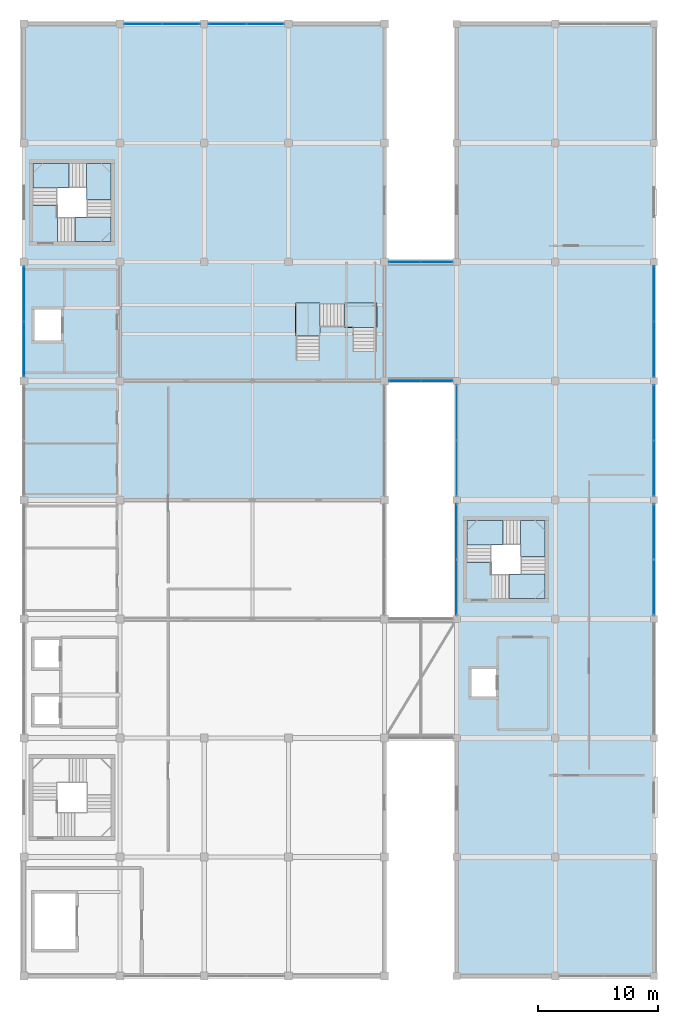
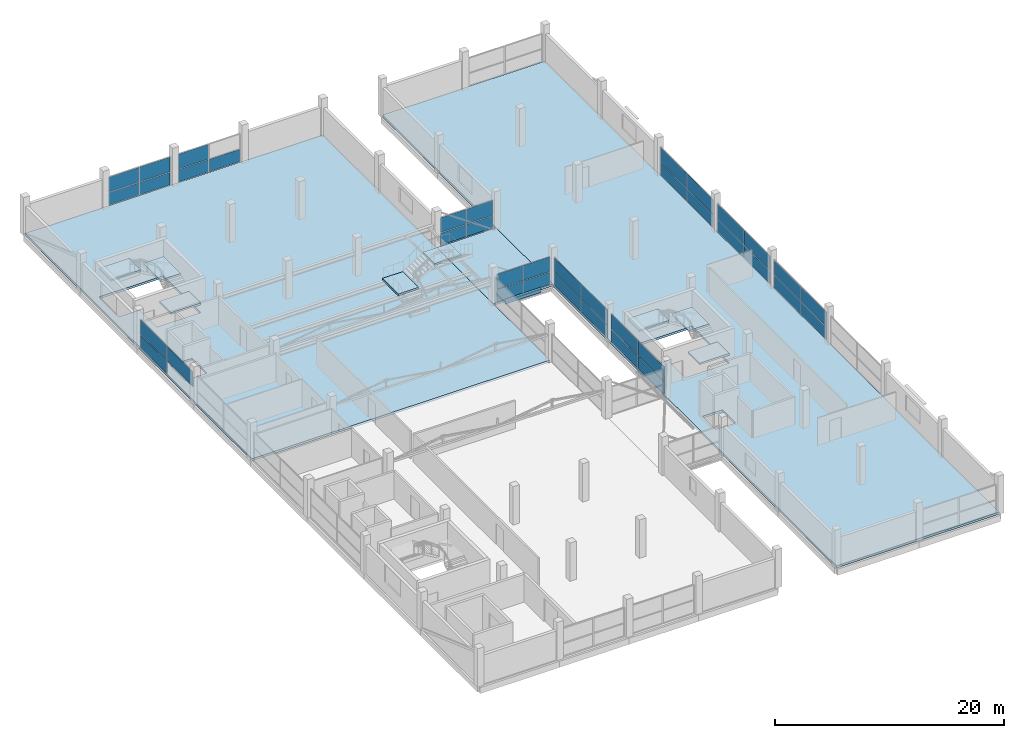
# One storey, part 54 of 70: 40 plates, 11 slabs, 13 elements without a shape of their own.
"""IFC4 building model written with IfcOpenShell, lengths in metres."""

from ifc_helpers import new_model, si_unit, direction, frame, origin, origin_2d, place, context, subcontext, project, spatial, polyline, rectangle, outline, extrude, material, layer, layer_set, type_object, element, aggregate, save


model = new_model("IFC4")

# Units and contexts
model_context = context("Model", 3, precision=1e-05, world=origin(), true_north=direction((0.0, 1.0)))
body_context = subcontext(model_context, "Body", "Model", "MODEL_VIEW")
ifc_project = project(units=[si_unit("LENGTHUNIT", "METRE"), si_unit("AREAUNIT", "SQUARE_METRE"), si_unit("VOLUMEUNIT", "CUBIC_METRE"), si_unit("PLANEANGLEUNIT", "RADIAN"), si_unit("MASSUNIT", "GRAM", prefix="KILO")], contexts=[model_context])

# Site, building, storey
site_placement = place(None, origin())
site = spatial("IfcSite", under=ifc_project, at=site_placement, CompositionType="ELEMENT")
building_placement = place(site_placement, origin())
building = spatial("IfcBuilding", under=site, at=building_placement, Name="Sillaruma Civic Art Gallery", CompositionType="ELEMENT")
storey_placement = place(building_placement, frame((0.0, 0.0, 66.300048828125)))
storey = spatial("IfcBuildingStorey", under=building, at=storey_placement, Name="L13", CompositionType="ELEMENT", Elevation=66.300048828125)

# Plates
ifc_material_1 = material(Name="Anodised Zinc-Aluminium Alloy", Category="aluminium")
ifc_layer_1 = layer(ifc_material_1, 0.044921875, Name="Anodised Zinc-Aluminium Alloy")
ifc_layer_set_1 = layer_set([ifc_layer_1], Name="Anodised Zinc-Aluminium Alloy")
plate_type_1 = type_object("IfcPlateType", Name="PLT-FAS-01", PredefinedType="USERDEFINED", material=ifc_layer_set_1)
for number, where, z_axis, x_axis, name in (
    (1, (95.0, 69.300048828125, -0.469970703125), (0.0, 0.0, 1.0), (1.0, 0.0, 0.0), "Sky-Bridge Fascia Cassette (BRG-N:L13:S)"),
    (2, (95.0, 79.199951171875, -0.469970703125), (0.0, 0.0, 1.0), (1.0, 0.0, 0.0), "Sky-Bridge Fascia Cassette (BRG-N:L13:N)"),
):
    element("IfcPlate", number, at=place(storey_placement, frame(where, z_axis=z_axis, x_axis=x_axis)), inside=storey, type_object=plate_type_1, Name=name, ObjectType="FASCIA CASSETTE", PredefinedType="USERDEFINED", context=body_context, shape_type="SweptSolid", body=[
        extrude(rectangle(XDim=3.60009765625, YDim=0.044921875, at=origin_2d()), origin(), (0.0, 0.0, 1.0), 0.580078125),
    ])

# Curtain wall, plates
ifc_material_2 = material(Name="Thermally Broken Extruded Aluminium 6063-T6", Category="aluminium")
ifc_layer_2 = layer(ifc_material_2, 0.139892578125, Name="Thermally Broken Extruded Aluminium 6063-T6")
ifc_layer_set_2 = layer_set([ifc_layer_2], Name="Thermally Broken Extruded Aluminium 6063-T6")
curtain_wall_type_1 = type_object("IfcCurtainWallType", Name="CW-UNI-106", PredefinedType="NOTDEFINED", material=ifc_layer_set_2)
curtain_wall_1_placement = place(storey_placement, origin())
curtain_wall_1 = element("IfcCurtainWall", 3, at=curtain_wall_1_placement, inside=storey, type_object=curtain_wall_type_1, Name="Unitised Curtain Wall CW-106 (CW-L13-WBN-3)", PredefinedType="NOTDEFINED")
ifc_material_3 = material(Name="Low-E UV-Filtered Laminated Insulating Glass", Category="glass")
ifc_layer_3 = layer(ifc_material_3, 0.028076171875, Name="Low-E UV-Filtered Laminated Insulating Glass")
ifc_layer_set_3 = layer_set([ifc_layer_3], Name="Low-E UV-Filtered Laminated Insulating Glass")
plate_type_2 = type_object("IfcPlateType", Name="PNL-GLZ-28", PredefinedType="CURTAIN_PANEL", material=ifc_layer_set_3)
plate_1_placement = place(storey_placement, frame((78.927490234375, 99.0, 0.06005859375), z_axis=(0.0, 0.0, 1.0), x_axis=(1.0, 0.0, 0.0)))
plate_1 = element("IfcPlate", 4, at=plate_1_placement, type_object=plate_type_2, Name="CW-106 panel 1.1", PredefinedType="CURTAIN_PANEL", context=body_context, shape_type="SweptSolid", body=[
    extrude(rectangle(XDim=3.0849609375, YDim=0.028076171875, at=origin_2d()), origin(), (0.0, 0.0, 1.0), 1.326904296875),
])
plate_2_placement = place(storey_placement, frame((78.927490234375, 99.0, 1.44677734375), z_axis=(0.0, 0.0, 1.0), x_axis=(1.0, 0.0, 0.0)))
plate_2 = element("IfcPlate", 5, at=plate_2_placement, type_object=plate_type_2, Name="CW-106 panel 1.2", PredefinedType="CURTAIN_PANEL", context=body_context, shape_type="SweptSolid", body=[
    extrude(rectangle(XDim=3.0849609375, YDim=0.028076171875, at=origin_2d()), origin(), (0.0, 0.0, 1.0), 1.5732421875),
])
plate_3_placement = place(storey_placement, frame((82.072509765625, 99.0, 0.06005859375), z_axis=(0.0, 0.0, 1.0), x_axis=(1.0, 0.0, 0.0)))
plate_3 = element("IfcPlate", 6, at=plate_3_placement, type_object=plate_type_2, Name="CW-106 panel 2.1", PredefinedType="CURTAIN_PANEL", context=body_context, shape_type="SweptSolid", body=[
    extrude(rectangle(XDim=3.0849609375, YDim=0.028076171875, at=origin_2d()), origin(), (0.0, 0.0, 1.0), 1.326904296875),
])
aggregate(curtain_wall_1, [plate_1, plate_2, plate_3])

ifc_layer_4 = layer(ifc_material_2, 0.139892578125, Name="Thermally Broken Extruded Aluminium 6063-T6")
ifc_layer_set_4 = layer_set([ifc_layer_4], Name="Thermally Broken Extruded Aluminium 6063-T6")
curtain_wall_type_2 = type_object("IfcCurtainWallType", Name="CW-UNI-98", PredefinedType="NOTDEFINED", material=ifc_layer_set_4)
curtain_wall_2_placement = place(storey_placement, origin())
curtain_wall_2 = element("IfcCurtainWall", 7, at=curtain_wall_2_placement, inside=storey, type_object=curtain_wall_type_2, Name="Unitised Curtain Wall CW-98 (CW-L13-EBE-6)", PredefinedType="NOTDEFINED")
plate_4_placement = place(storey_placement, frame((114.39990234375, 71.93994140625, 0.06005859375), z_axis=(0.0, 0.0, 1.0), x_axis=(0.0, 1.0, 0.0)))
plate_4 = element("IfcPlate", 8, at=plate_4_placement, type_object=plate_type_2, Name="CW-98 panel 1.1", PredefinedType="CURTAIN_PANEL", context=body_context, shape_type="SweptSolid", body=[
    extrude(rectangle(XDim=4.56005859375, YDim=0.028076171875, at=origin_2d()), origin(), (0.0, 0.0, 1.0), 1.326904296875),
])
plate_5_placement = place(storey_placement, frame((114.39990234375, 71.93994140625, 1.44677734375), z_axis=(0.0, 0.0, 1.0), x_axis=(0.0, 1.0, 0.0)))
plate_5 = element("IfcPlate", 9, at=plate_5_placement, type_object=plate_type_2, Name="CW-98 panel 1.2", PredefinedType="CURTAIN_PANEL", context=body_context, shape_type="SweptSolid", body=[
    extrude(rectangle(XDim=4.56005859375, YDim=0.028076171875, at=origin_2d()), origin(), (0.0, 0.0, 1.0), 1.5732421875),
])
plate_6_placement = place(storey_placement, frame((114.39990234375, 76.56005859375, 0.06005859375), z_axis=(0.0, 0.0, 1.0), x_axis=(0.0, 1.0, 0.0)))
plate_6 = element("IfcPlate", 10, at=plate_6_placement, type_object=plate_type_2, Name="CW-98 panel 2.1", PredefinedType="CURTAIN_PANEL", context=body_context, shape_type="SweptSolid", body=[
    extrude(rectangle(XDim=4.56005859375, YDim=0.028076171875, at=origin_2d()), origin(), (0.0, 0.0, 1.0), 1.326904296875),
])
plate_7_placement = place(storey_placement, frame((114.39990234375, 76.56005859375, 1.44677734375), z_axis=(0.0, 0.0, 1.0), x_axis=(0.0, 1.0, 0.0)))
plate_7 = element("IfcPlate", 11, at=plate_7_placement, type_object=plate_type_2, Name="CW-98 panel 2.2", PredefinedType="CURTAIN_PANEL", context=body_context, shape_type="SweptSolid", body=[
    extrude(rectangle(XDim=4.56005859375, YDim=0.028076171875, at=origin_2d()), origin(), (0.0, 0.0, 1.0), 1.5732421875),
])
aggregate(curtain_wall_2, [plate_4, plate_5, plate_6, plate_7])

ifc_layer_5 = layer(ifc_material_2, 0.159912109375, Name="Thermally Broken Extruded Aluminium 6063-T6")
ifc_layer_set_5 = layer_set([ifc_layer_5], Name="Thermally Broken Extruded Aluminium 6063-T6")
curtain_wall_type_3 = type_object("IfcCurtainWallType", Name="CW-UNI-94", PredefinedType="NOTDEFINED", material=ifc_layer_set_5)
curtain_wall_3_placement = place(storey_placement, origin())
curtain_wall_3 = element("IfcCurtainWall", 12, at=curtain_wall_3_placement, inside=storey, type_object=curtain_wall_type_3, Name="Unitised Curtain Wall CW-94 (CW-L13-WBW-6)", PredefinedType="NOTDEFINED")
ifc_layer_6 = layer(ifc_material_3, 0.030029296875, Name="Low-E UV-Filtered Laminated Insulating Glass")
ifc_layer_set_6 = layer_set([ifc_layer_6], Name="Low-E UV-Filtered Laminated Insulating Glass")
plate_type_3 = type_object("IfcPlateType", Name="PNL-GLZ-30", PredefinedType="CURTAIN_PANEL", material=ifc_layer_set_6)
plate_8_placement = place(storey_placement, frame((62.0, 71.953857421875, 1.44677734375), z_axis=(0.0, 0.0, 1.0), x_axis=(0.0, 1.0, 0.0)))
plate_8 = element("IfcPlate", 13, at=plate_8_placement, type_object=plate_type_3, Name="CW-94 panel 1.2", PredefinedType="CURTAIN_PANEL", context=body_context, shape_type="SweptSolid", body=[
    extrude(rectangle(XDim=4.527587890625, YDim=0.030029296875, at=origin_2d()), origin(), (0.0, 0.0, 1.0), 1.5732421875),
])
plate_9_placement = place(storey_placement, frame((62.0, 76.546142578125, 0.06005859375), z_axis=(0.0, 0.0, 1.0), x_axis=(0.0, 1.0, 0.0)))
plate_9 = element("IfcPlate", 14, at=plate_9_placement, type_object=plate_type_3, Name="CW-94 panel 2.1", PredefinedType="CURTAIN_PANEL", context=body_context, shape_type="SweptSolid", body=[
    extrude(rectangle(XDim=4.527587890625, YDim=0.030029296875, at=origin_2d()), origin(), (0.0, 0.0, 1.0), 1.326904296875),
])
plate_10_placement = place(storey_placement, frame((62.0, 76.546142578125, 1.44677734375), z_axis=(0.0, 0.0, 1.0), x_axis=(0.0, 1.0, 0.0)))
plate_10 = element("IfcPlate", 15, at=plate_10_placement, type_object=plate_type_3, Name="CW-94 panel 2.2", PredefinedType="CURTAIN_PANEL", context=body_context, shape_type="SweptSolid", body=[
    extrude(rectangle(XDim=4.527587890625, YDim=0.030029296875, at=origin_2d()), origin(), (0.0, 0.0, 1.0), 1.5732421875),
])
aggregate(curtain_wall_3, [plate_8, plate_9, plate_10])

ifc_layer_7 = layer(ifc_material_2, 0.159912109375, Name="Thermally Broken Extruded Aluminium 6063-T6")
ifc_layer_set_7 = layer_set([ifc_layer_7], Name="Thermally Broken Extruded Aluminium 6063-T6")
curtain_wall_type_4 = type_object("IfcCurtainWallType", Name="CW-UNI-97", PredefinedType="NOTDEFINED", material=ifc_layer_set_7)
curtain_wall_4_placement = place(storey_placement, origin())
curtain_wall_4 = element("IfcCurtainWall", 16, at=curtain_wall_4_placement, inside=storey, type_object=curtain_wall_type_4, Name="Unitised Curtain Wall CW-97 (CW-L13-EBW-5)", PredefinedType="NOTDEFINED")
plate_11_placement = place(storey_placement, frame((98.0, 62.041259765625, 0.06005859375), z_axis=(0.0, 0.0, 1.0), x_axis=(0.0, 1.0, 0.0)))
plate_11 = element("IfcPlate", 17, at=plate_11_placement, type_object=plate_type_3, Name="CW-97 panel 1.1", PredefinedType="CURTAIN_PANEL", context=body_context, shape_type="SweptSolid", body=[
    extrude(rectangle(XDim=4.552490234375, YDim=0.030029296875, at=origin_2d()), origin(), (0.0, 0.0, 1.0), 1.326904296875),
])
plate_12_placement = place(storey_placement, frame((98.0, 62.041259765625, 1.44677734375), z_axis=(0.0, 0.0, 1.0), x_axis=(0.0, 1.0, 0.0)))
plate_12 = element("IfcPlate", 18, at=plate_12_placement, type_object=plate_type_3, Name="CW-97 panel 1.2", PredefinedType="CURTAIN_PANEL", context=body_context, shape_type="SweptSolid", body=[
    extrude(rectangle(XDim=4.552490234375, YDim=0.030029296875, at=origin_2d()), origin(), (0.0, 0.0, 1.0), 1.5732421875),
])
plate_13_placement = place(storey_placement, frame((98.0, 66.65869140625, 0.06005859375), z_axis=(0.0, 0.0, 1.0), x_axis=(0.0, 1.0, 0.0)))
plate_13 = element("IfcPlate", 19, at=plate_13_placement, type_object=plate_type_3, Name="CW-97 panel 2.1", PredefinedType="CURTAIN_PANEL", context=body_context, shape_type="SweptSolid", body=[
    extrude(rectangle(XDim=4.552490234375, YDim=0.030029296875, at=origin_2d()), origin(), (0.0, 0.0, 1.0), 1.326904296875),
])
plate_14_placement = place(storey_placement, frame((98.0, 66.65869140625, 1.44677734375), z_axis=(0.0, 0.0, 1.0), x_axis=(0.0, 1.0, 0.0)))
plate_14 = element("IfcPlate", 20, at=plate_14_placement, type_object=plate_type_3, Name="CW-97 panel 2.2", PredefinedType="CURTAIN_PANEL", context=body_context, shape_type="SweptSolid", body=[
    extrude(rectangle(XDim=4.552490234375, YDim=0.030029296875, at=origin_2d()), origin(), (0.0, 0.0, 1.0), 1.5732421875),
])
aggregate(curtain_wall_4, [plate_11, plate_12, plate_13, plate_14])

ifc_layer_8 = layer(ifc_material_2, 0.159912109375, Name="Thermally Broken Extruded Aluminium 6063-T6")
ifc_layer_set_8 = layer_set([ifc_layer_8], Name="Thermally Broken Extruded Aluminium 6063-T6")
curtain_wall_type_5 = type_object("IfcCurtainWallType", Name="CW-UNI-96", PredefinedType="NOTDEFINED", material=ifc_layer_set_8)
curtain_wall_5_placement = place(storey_placement, origin())
curtain_wall_5 = element("IfcCurtainWall", 21, at=curtain_wall_5_placement, inside=storey, type_object=curtain_wall_type_5, Name="Unitised Curtain Wall CW-96 (CW-L13-WBN-2)", PredefinedType="NOTDEFINED")
ifc_layer_9 = layer(ifc_material_3, 0.031982421875, Name="Low-E UV-Filtered Laminated Insulating Glass")
ifc_layer_set_9 = layer_set([ifc_layer_9], Name="Low-E UV-Filtered Laminated Insulating Glass")
plate_type_4 = type_object("IfcPlateType", Name="PNL-GLZ-32", PredefinedType="CURTAIN_PANEL", material=ifc_layer_set_9)
plate_15_placement = place(storey_placement, frame((71.9287109375, 99.0, 0.06494140625), z_axis=(0.0, 0.0, 1.0), x_axis=(1.0, 0.0, 0.0)))
plate_15 = element("IfcPlate", 22, at=plate_15_placement, type_object=plate_type_4, Name="CW-96 panel 1.1", PredefinedType="CURTAIN_PANEL", context=body_context, shape_type="SweptSolid", body=[
    extrude(rectangle(XDim=3.077392578125, YDim=0.031982421875, at=origin_2d()), origin(), (0.0, 0.0, 1.0), 1.3193359375),
])
plate_16_placement = place(storey_placement, frame((71.9287109375, 99.0, 1.44921875), z_axis=(0.0, 0.0, 1.0), x_axis=(1.0, 0.0, 0.0)))
plate_16 = element("IfcPlate", 23, at=plate_16_placement, type_object=plate_type_4, Name="CW-96 panel 1.2", PredefinedType="CURTAIN_PANEL", context=body_context, shape_type="SweptSolid", body=[
    extrude(rectangle(XDim=3.077392578125, YDim=0.031982421875, at=origin_2d()), origin(), (0.0, 0.0, 1.0), 1.565673828125),
])
plate_17_placement = place(storey_placement, frame((75.0712890625, 99.0, 0.06494140625), z_axis=(0.0, 0.0, 1.0), x_axis=(1.0, 0.0, 0.0)))
plate_17 = element("IfcPlate", 24, at=plate_17_placement, type_object=plate_type_4, Name="CW-96 panel 2.1", PredefinedType="CURTAIN_PANEL", context=body_context, shape_type="SweptSolid", body=[
    extrude(rectangle(XDim=3.077392578125, YDim=0.031982421875, at=origin_2d()), origin(), (0.0, 0.0, 1.0), 1.3193359375),
])
plate_18_placement = place(storey_placement, frame((75.0712890625, 99.0, 1.44921875), z_axis=(0.0, 0.0, 1.0), x_axis=(1.0, 0.0, 0.0)))
plate_18 = element("IfcPlate", 25, at=plate_18_placement, type_object=plate_type_4, Name="CW-96 panel 2.2", PredefinedType="CURTAIN_PANEL", context=body_context, shape_type="SweptSolid", body=[
    extrude(rectangle(XDim=3.077392578125, YDim=0.031982421875, at=origin_2d()), origin(), (0.0, 0.0, 1.0), 1.565673828125),
])
aggregate(curtain_wall_5, [plate_15, plate_16, plate_17, plate_18])

ifc_layer_10 = layer(ifc_material_2, 0.159912109375, Name="Thermally Broken Extruded Aluminium 6063-T6")
ifc_layer_set_10 = layer_set([ifc_layer_10], Name="Thermally Broken Extruded Aluminium 6063-T6")
curtain_wall_type_6 = type_object("IfcCurtainWallType", Name="CW-UNI-102", PredefinedType="NOTDEFINED", material=ifc_layer_set_10)
curtain_wall_6_placement = place(storey_placement, origin())
curtain_wall_6 = element("IfcCurtainWall", 26, at=curtain_wall_6_placement, inside=storey, type_object=curtain_wall_type_6, Name="Unitised Curtain Wall CW-102 (CW-L13-EBE-5)", PredefinedType="NOTDEFINED")
plate_19_placement = place(storey_placement, frame((114.39990234375, 62.041259765625, 0.06494140625), z_axis=(0.0, 0.0, 1.0), x_axis=(0.0, 1.0, 0.0)))
plate_19 = element("IfcPlate", 27, at=plate_19_placement, type_object=plate_type_4, Name="CW-102 panel 1.1", PredefinedType="CURTAIN_PANEL", context=body_context, shape_type="SweptSolid", body=[
    extrude(rectangle(XDim=4.552490234375, YDim=0.031982421875, at=origin_2d()), origin(), (0.0, 0.0, 1.0), 1.3193359375),
])
plate_20_placement = place(storey_placement, frame((114.39990234375, 62.041259765625, 1.44921875), z_axis=(0.0, 0.0, 1.0), x_axis=(0.0, 1.0, 0.0)))
plate_20 = element("IfcPlate", 28, at=plate_20_placement, type_object=plate_type_4, Name="CW-102 panel 1.2", PredefinedType="CURTAIN_PANEL", context=body_context, shape_type="SweptSolid", body=[
    extrude(rectangle(XDim=4.552490234375, YDim=0.031982421875, at=origin_2d()), origin(), (0.0, 0.0, 1.0), 1.565673828125),
])
plate_21_placement = place(storey_placement, frame((114.39990234375, 66.65869140625, 0.06494140625), z_axis=(0.0, 0.0, 1.0), x_axis=(0.0, 1.0, 0.0)))
plate_21 = element("IfcPlate", 29, at=plate_21_placement, type_object=plate_type_4, Name="CW-102 panel 2.1", PredefinedType="CURTAIN_PANEL", context=body_context, shape_type="SweptSolid", body=[
    extrude(rectangle(XDim=4.552490234375, YDim=0.031982421875, at=origin_2d()), origin(), (0.0, 0.0, 1.0), 1.3193359375),
])
plate_22_placement = place(storey_placement, frame((114.39990234375, 66.65869140625, 1.44921875), z_axis=(0.0, 0.0, 1.0), x_axis=(0.0, 1.0, 0.0)))
plate_22 = element("IfcPlate", 30, at=plate_22_placement, type_object=plate_type_4, Name="CW-102 panel 2.2", PredefinedType="CURTAIN_PANEL", context=body_context, shape_type="SweptSolid", body=[
    extrude(rectangle(XDim=4.552490234375, YDim=0.031982421875, at=origin_2d()), origin(), (0.0, 0.0, 1.0), 1.565673828125),
])
aggregate(curtain_wall_6, [plate_19, plate_20, plate_21, plate_22])

# Curtain wall, plate
ifc_layer_11 = layer(ifc_material_2, 0.139892578125, Name="Thermally Broken Extruded Aluminium 6063-T6")
ifc_layer_set_11 = layer_set([ifc_layer_11], Name="Thermally Broken Extruded Aluminium 6063-T6")
curtain_wall_type_7 = type_object("IfcCurtainWallType", Name="CW-UNI-108", PredefinedType="NOTDEFINED", material=ifc_layer_set_11)
curtain_wall_7_placement = place(storey_placement, origin())
curtain_wall_7 = element("IfcCurtainWall", 31, at=curtain_wall_7_placement, inside=storey, type_object=curtain_wall_type_7, Name="Unitised Curtain Wall CW-108 (CW-BRG-N-L13-S)", PredefinedType="NOTDEFINED")
ifc_layer_12 = layer(ifc_material_3, 0.033935546875, Name="Low-E UV-Filtered Laminated Insulating Glass")
ifc_layer_set_12 = layer_set([ifc_layer_12], Name="Low-E UV-Filtered Laminated Insulating Glass")
plate_type_5 = type_object("IfcPlateType", Name="PNL-GLZ-34", PredefinedType="CURTAIN_PANEL", material=ifc_layer_set_12)
plate_23_placement = place(storey_placement, frame((93.683837890625, 69.300048828125, 0.06494140625), z_axis=(0.0, 0.0, 1.0), x_axis=(1.0, 0.0, 0.0)))
plate_23 = element("IfcPlate", 32, at=plate_23_placement, type_object=plate_type_5, Name="CW-108 panel 1.1", PredefinedType="CURTAIN_PANEL", context=body_context, shape_type="SweptSolid", body=[
    extrude(rectangle(XDim=2.597412109375, YDim=0.033935546875, at=origin_2d()), origin(), (0.0, 0.0, 1.0), 1.3193359375),
])

curtain_wall_8_placement = place(storey_placement, origin())
curtain_wall_8 = element("IfcCurtainWall", 33, at=curtain_wall_8_placement, inside=storey, type_object=curtain_wall_type_7, Name="Unitised Curtain Wall CW-108 (CW-BRG-N-L13-N)", PredefinedType="NOTDEFINED")
plate_24_placement = place(storey_placement, frame((93.683837890625, 79.199951171875, 0.06494140625), z_axis=(0.0, 0.0, 1.0), x_axis=(1.0, 0.0, 0.0)))
plate_24 = element("IfcPlate", 34, at=plate_24_placement, type_object=plate_type_5, Name="CW-108 panel 1.1", PredefinedType="CURTAIN_PANEL", context=body_context, shape_type="SweptSolid", body=[
    extrude(rectangle(XDim=2.597412109375, YDim=0.033935546875, at=origin_2d()), origin(), (0.0, 0.0, 1.0), 1.3193359375),
])

# Curtain wall, plates
ifc_layer_13 = layer(ifc_material_2, 0.179931640625, Name="Thermally Broken Extruded Aluminium 6063-T6")
ifc_layer_set_13 = layer_set([ifc_layer_13], Name="Thermally Broken Extruded Aluminium 6063-T6")
curtain_wall_type_8 = type_object("IfcCurtainWallType", Name="CW-UNI-101", PredefinedType="NOTDEFINED", material=ifc_layer_set_13)
curtain_wall_9_placement = place(storey_placement, origin())
curtain_wall_9 = element("IfcCurtainWall", 35, at=curtain_wall_9_placement, inside=storey, type_object=curtain_wall_type_8, Name="Unitised Curtain Wall CW-101 (CW-L13-EBE-4)", PredefinedType="NOTDEFINED")
ifc_layer_14 = layer(ifc_material_3, 0.035888671875, Name="Low-E UV-Filtered Laminated Insulating Glass")
ifc_layer_set_14 = layer_set([ifc_layer_14], Name="Low-E UV-Filtered Laminated Insulating Glass")
plate_type_6 = type_object("IfcPlateType", Name="PNL-GLZ-36", PredefinedType="CURTAIN_PANEL", material=ifc_layer_set_14)
plate_25_placement = place(storey_placement, frame((114.39990234375, 52.142578125, 0.06982421875), z_axis=(0.0, 0.0, 1.0), x_axis=(0.0, 1.0, 0.0)))
plate_25 = element("IfcPlate", 36, at=plate_25_placement, type_object=plate_type_6, Name="CW-101 panel 1.1", PredefinedType="CURTAIN_PANEL", context=body_context, shape_type="SweptSolid", body=[
    extrude(rectangle(XDim=4.544921875, YDim=0.035888671875, at=origin_2d()), origin(), (0.0, 0.0, 1.0), 1.311767578125),
])
plate_26_placement = place(storey_placement, frame((114.39990234375, 52.142578125, 1.451904296875), z_axis=(0.0, 0.0, 1.0), x_axis=(0.0, 1.0, 0.0)))
plate_26 = element("IfcPlate", 37, at=plate_26_placement, type_object=plate_type_6, Name="CW-101 panel 1.2", PredefinedType="CURTAIN_PANEL", context=body_context, shape_type="SweptSolid", body=[
    extrude(rectangle(XDim=4.544921875, YDim=0.035888671875, at=origin_2d()), origin(), (0.0, 0.0, 1.0), 1.55810546875),
])
plate_27_placement = place(storey_placement, frame((114.39990234375, 56.757568359375, 0.06982421875), z_axis=(0.0, 0.0, 1.0), x_axis=(0.0, 1.0, 0.0)))
plate_27 = element("IfcPlate", 38, at=plate_27_placement, type_object=plate_type_6, Name="CW-101 panel 2.1", PredefinedType="CURTAIN_PANEL", context=body_context, shape_type="SweptSolid", body=[
    extrude(rectangle(XDim=4.544921875, YDim=0.035888671875, at=origin_2d()), origin(), (0.0, 0.0, 1.0), 1.311767578125),
])
plate_28_placement = place(storey_placement, frame((114.39990234375, 56.757568359375, 1.451904296875), z_axis=(0.0, 0.0, 1.0), x_axis=(0.0, 1.0, 0.0)))
plate_28 = element("IfcPlate", 39, at=plate_28_placement, type_object=plate_type_6, Name="CW-101 panel 2.2", PredefinedType="CURTAIN_PANEL", context=body_context, shape_type="SweptSolid", body=[
    extrude(rectangle(XDim=4.544921875, YDim=0.035888671875, at=origin_2d()), origin(), (0.0, 0.0, 1.0), 1.55810546875),
])
aggregate(curtain_wall_9, [plate_25, plate_26, plate_27, plate_28])

ifc_layer_15 = layer(ifc_material_2, 0.179931640625, Name="Thermally Broken Extruded Aluminium 6063-T6")
ifc_layer_set_15 = layer_set([ifc_layer_15], Name="Thermally Broken Extruded Aluminium 6063-T6")
curtain_wall_type_9 = type_object("IfcCurtainWallType", Name="CW-UNI-100", PredefinedType="NOTDEFINED", material=ifc_layer_set_15)
curtain_wall_10_placement = place(storey_placement, origin())
curtain_wall_10 = element("IfcCurtainWall", 40, at=curtain_wall_10_placement, inside=storey, type_object=curtain_wall_type_9, Name="Unitised Curtain Wall CW-100 (CW-L13-EBW-4)", PredefinedType="NOTDEFINED")
ifc_layer_16 = layer(ifc_material_3, 0.0400390625, Name="Low-E UV-Filtered Laminated Insulating Glass")
ifc_layer_set_16 = layer_set([ifc_layer_16], Name="Low-E UV-Filtered Laminated Insulating Glass")
plate_type_7 = type_object("IfcPlateType", Name="PNL-GLZ-40", PredefinedType="CURTAIN_PANEL", material=ifc_layer_set_16)
plate_29_placement = place(storey_placement, frame((98.0, 52.142578125, 0.06494140625), z_axis=(0.0, 0.0, 1.0), x_axis=(0.0, 1.0, 0.0)))
plate_29 = element("IfcPlate", 41, at=plate_29_placement, type_object=plate_type_7, Name="CW-100 panel 1.1", PredefinedType="CURTAIN_PANEL", context=body_context, shape_type="SweptSolid", body=[
    extrude(rectangle(XDim=4.544921875, YDim=0.0400390625, at=origin_2d()), origin(), (0.0, 0.0, 1.0), 1.3193359375),
])
plate_30_placement = place(storey_placement, frame((98.0, 52.142578125, 1.44921875), z_axis=(0.0, 0.0, 1.0), x_axis=(0.0, 1.0, 0.0)))
plate_30 = element("IfcPlate", 42, at=plate_30_placement, type_object=plate_type_7, Name="CW-100 panel 1.2", PredefinedType="CURTAIN_PANEL", context=body_context, shape_type="SweptSolid", body=[
    extrude(rectangle(XDim=4.544921875, YDim=0.0400390625, at=origin_2d()), origin(), (0.0, 0.0, 1.0), 1.565673828125),
])
plate_31_placement = place(storey_placement, frame((98.0, 56.757568359375, 0.06494140625), z_axis=(0.0, 0.0, 1.0), x_axis=(0.0, 1.0, 0.0)))
plate_31 = element("IfcPlate", 43, at=plate_31_placement, type_object=plate_type_7, Name="CW-100 panel 2.1", PredefinedType="CURTAIN_PANEL", context=body_context, shape_type="SweptSolid", body=[
    extrude(rectangle(XDim=4.544921875, YDim=0.0400390625, at=origin_2d()), origin(), (0.0, 0.0, 1.0), 1.3193359375),
])
plate_32_placement = place(storey_placement, frame((98.0, 56.757568359375, 1.44921875), z_axis=(0.0, 0.0, 1.0), x_axis=(0.0, 1.0, 0.0)))
plate_32 = element("IfcPlate", 44, at=plate_32_placement, type_object=plate_type_7, Name="CW-100 panel 2.2", PredefinedType="CURTAIN_PANEL", context=body_context, shape_type="SweptSolid", body=[
    extrude(rectangle(XDim=4.544921875, YDim=0.0400390625, at=origin_2d()), origin(), (0.0, 0.0, 1.0), 1.565673828125),
])
aggregate(curtain_wall_10, [plate_29, plate_30, plate_31, plate_32])

# Plate
ifc_layer_17 = layer(ifc_material_1, 0.033935546875, Name="Anodised Zinc-Aluminium Alloy")
ifc_layer_set_17 = layer_set([ifc_layer_17], Name="Anodised Zinc-Aluminium Alloy")
plate_type_8 = type_object("IfcPlateType", Name="PNL-SPD-34", PredefinedType="CURTAIN_PANEL", material=ifc_layer_set_17)
plate_33_placement = place(storey_placement, frame((93.683837890625, 69.300048828125, 1.44921875), z_axis=(0.0, 0.0, 1.0), x_axis=(1.0, 0.0, 0.0)))
plate_33 = element("IfcPlate", 45, at=plate_33_placement, type_object=plate_type_8, Name="CW-108 panel 1.2", PredefinedType="CURTAIN_PANEL", context=body_context, shape_type="SweptSolid", body=[
    extrude(rectangle(XDim=2.597412109375, YDim=0.033935546875, at=origin_2d()), origin(), (0.0, 0.0, 1.0), 1.565673828125),
])

plate_34_placement = place(storey_placement, frame((96.34130859375, 69.300048828125, 0.06494140625), z_axis=(0.0, 0.0, 1.0), x_axis=(1.0, 0.0, 0.0)))
plate_34 = element("IfcPlate", 46, at=plate_34_placement, type_object=plate_type_8, Name="CW-108 panel 2.1", PredefinedType="CURTAIN_PANEL", context=body_context, shape_type="SweptSolid", body=[
    extrude(rectangle(XDim=2.597412109375, YDim=0.033935546875, at=origin_2d()), origin(), (0.0, 0.0, 1.0), 1.3193359375),
])

plate_35_placement = place(storey_placement, frame((96.34130859375, 69.300048828125, 1.44921875), z_axis=(0.0, 0.0, 1.0), x_axis=(1.0, 0.0, 0.0)))
plate_35 = element("IfcPlate", 47, at=plate_35_placement, type_object=plate_type_8, Name="CW-108 panel 2.2", PredefinedType="CURTAIN_PANEL", context=body_context, shape_type="SweptSolid", body=[
    extrude(rectangle(XDim=2.597412109375, YDim=0.033935546875, at=origin_2d()), origin(), (0.0, 0.0, 1.0), 1.565673828125),
])

aggregate(curtain_wall_7, [plate_23, plate_33, plate_34, plate_35])

plate_36_placement = place(storey_placement, frame((93.683837890625, 79.199951171875, 1.44921875), z_axis=(0.0, 0.0, 1.0), x_axis=(1.0, 0.0, 0.0)))
plate_36 = element("IfcPlate", 48, at=plate_36_placement, type_object=plate_type_8, Name="CW-108 panel 1.2", PredefinedType="CURTAIN_PANEL", context=body_context, shape_type="SweptSolid", body=[
    extrude(rectangle(XDim=2.597412109375, YDim=0.033935546875, at=origin_2d()), origin(), (0.0, 0.0, 1.0), 1.565673828125),
])

plate_37_placement = place(storey_placement, frame((96.34130859375, 79.199951171875, 0.06494140625), z_axis=(0.0, 0.0, 1.0), x_axis=(1.0, 0.0, 0.0)))
plate_37 = element("IfcPlate", 49, at=plate_37_placement, type_object=plate_type_8, Name="CW-108 panel 2.1", PredefinedType="CURTAIN_PANEL", context=body_context, shape_type="SweptSolid", body=[
    extrude(rectangle(XDim=2.597412109375, YDim=0.033935546875, at=origin_2d()), origin(), (0.0, 0.0, 1.0), 1.3193359375),
])

plate_38_placement = place(storey_placement, frame((96.34130859375, 79.199951171875, 1.44921875), z_axis=(0.0, 0.0, 1.0), x_axis=(1.0, 0.0, 0.0)))
plate_38 = element("IfcPlate", 50, at=plate_38_placement, type_object=plate_type_8, Name="CW-108 panel 2.2", PredefinedType="CURTAIN_PANEL", context=body_context, shape_type="SweptSolid", body=[
    extrude(rectangle(XDim=2.597412109375, YDim=0.033935546875, at=origin_2d()), origin(), (0.0, 0.0, 1.0), 1.565673828125),
])

aggregate(curtain_wall_8, [plate_24, plate_36, plate_37, plate_38])

# Slabs
ifc_material_4 = material(Name="Concrete H35 (35 MPa)", Category="concrete")
ifc_layer_18 = layer(ifc_material_4, 0.2099609375, Name="Concrete H35 (35 MPa)")
ifc_layer_set_18 = layer_set([ifc_layer_18], Name="Concrete H35 (35 MPa)")
slab_type_1 = type_object("IfcSlabType", Name="SLB-FLR-210", PredefinedType="FLOOR", material=ifc_layer_set_18)
slab_1_placement = place(storey_placement, frame((0.0, 0.0, -0.2099609375)))
element("IfcSlab", 51, at=slab_1_placement, inside=storey, type_object=slab_type_1, Name="Floor Slab SF-210 (SLB-L13-BRGN)", PredefinedType="FLOOR", context=body_context, shape_type="SweptSolid", body=[
    extrude(outline(polyline([(92.0, 69.300048828125), (98.0, 69.300048828125), (98.0, 79.199951171875), (92.0, 79.199951171875), (92.0, 69.300048828125)])), origin(), (0.0, 0.0, 1.0), 0.2099609375),
])
ifc_layer_19 = layer(ifc_material_4, 0.22998046875, Name="Concrete H35 (35 MPa)")
ifc_layer_set_19 = layer_set([ifc_layer_19], Name="Concrete H35 (35 MPa)")
slab_type_2 = type_object("IfcSlabType", Name="SLB-FLR-230", PredefinedType="FLOOR", material=ifc_layer_set_19)
slab_2_placement = place(storey_placement, frame((0.0, 0.0, -0.22998046875)))
element("IfcSlab", 52, at=slab_2_placement, inside=storey, type_object=slab_type_2, Name="Floor Slab SF-230 (SLB-L13-WESTN)", PredefinedType="FLOOR", context=body_context, shape_type="SweptSolid", body=[
    extrude(outline(polyline([(62.0, 59.39990234375), (92.0, 59.39990234375), (92.0, 99.0), (62.0, 99.0), (62.0, 59.39990234375)]), holes=[polyline([(64.81494140625, 80.909912109375), (69.239990234375, 80.909912109375), (69.239990234375, 87.389892578125), (62.760009765625, 87.389892578125), (62.760009765625, 83.9150390625), (64.81494140625, 83.9150390625), (64.81494140625, 80.909912109375)]), polyline([(62.89990234375, 72.64990234375), (65.10009765625, 72.64990234375), (65.10009765625, 75.25), (62.89990234375, 75.25), (62.89990234375, 72.64990234375)])]), origin(), (0.0, 0.0, 1.0), 0.22998046875),
])
slab_3_placement = place(storey_placement, frame((0.0, 0.0, -0.22998046875)))
element("IfcSlab", 53, at=slab_3_placement, inside=storey, type_object=slab_type_2, Name="Floor Slab SF-230 (SLB-L13-EAST)", PredefinedType="FLOOR", context=body_context, shape_type="SweptSolid", body=[
    extrude(outline(polyline([(98.0, 19.800048828125), (114.39990234375, 19.800048828125), (114.39990234375, 99.0), (98.0, 99.0), (98.0, 19.800048828125)]), holes=[polyline([(100.9150390625, 51.2099609375), (105.340087890625, 51.2099609375), (105.340087890625, 57.68994140625), (98.860107421875, 57.68994140625), (98.860107421875, 54.215087890625), (100.9150390625, 54.215087890625), (100.9150390625, 51.2099609375)]), polyline([(99.25, 43.050048828125), (101.25, 43.050048828125), (101.25, 45.35009765625), (99.25, 45.35009765625), (99.25, 43.050048828125)])]), origin(), (0.0, 0.0, 1.0), 0.22998046875),
])

# Stair, slabs
stair_type_1 = type_object("IfcStairType", Name="STR-3F-24", PredefinedType="TWO_QUARTER_TURN_STAIR", material=ifc_material_4)
stair_1_placement = place(storey_placement, origin())
stair_1 = element("IfcStair", 54, at=stair_1_placement, inside=storey, type_object=stair_type_1, Name="Monumental Gallery Feature Stair ST-G08 (L13)", PredefinedType="TWO_QUARTER_TURN_STAIR")
ifc_layer_20 = layer(ifc_material_4, 0.18505859375, Name="Concrete H35 (35 MPa)")
ifc_layer_set_20 = layer_set([ifc_layer_20], Name="Concrete H35 (35 MPa)")
slab_type_3 = type_object("IfcSlabType", Name="SLB-LND-185", PredefinedType="LANDING", material=ifc_layer_set_20)
slab_4_placement = place(storey_placement, frame((0.0, 0.0, 1.175048828125)))
slab_4 = element("IfcSlab", 55, at=slab_4_placement, type_object=slab_type_3, Name="ST-G08 landing 1", PredefinedType="LANDING", context=body_context, shape_type="SweptSolid", body=[
    extrude(outline(polyline([(84.60009765625, 73.030029296875), (86.639892578125, 73.030029296875), (86.639892578125, 75.800048828125), (84.60009765625, 75.800048828125), (84.60009765625, 73.030029296875)])), origin(), (0.0, 0.0, 1.0), 0.184814453125),
])
slab_5_placement = place(storey_placement, frame((0.0, 0.0, 2.534912109375)))
slab_5 = element("IfcSlab", 56, at=slab_5_placement, type_object=slab_type_3, Name="ST-G08 landing 2", PredefinedType="LANDING", context=body_context, shape_type="SweptSolid", body=[
    extrude(outline(polyline([(88.669921875, 73.760009765625), (91.360107421875, 73.760009765625), (91.360107421875, 75.800048828125), (88.669921875, 75.800048828125), (88.669921875, 73.760009765625)])), origin(), (0.0, 0.0, 1.0), 0.18505859375),
])
aggregate(stair_1, [slab_4, slab_5])

stair_type_2 = type_object("IfcStairType", Name="STR-4F-24", PredefinedType="USERDEFINED", material=ifc_material_4)
stair_2_placement = place(storey_placement, origin())
stair_2 = element("IfcStair", 57, at=stair_2_placement, inside=storey, type_object=stair_type_2, Name="Protected Exit Stair ST-02 (West Bar North) (L13)", ObjectType="THREE_RETURN_STAIR", PredefinedType="USERDEFINED")
ifc_layer_21 = layer(ifc_material_4, 0.199951171875, Name="Concrete H35 (35 MPa)")
ifc_layer_set_21 = layer_set([ifc_layer_21], Name="Concrete H35 (35 MPa)")
slab_type_4 = type_object("IfcSlabType", Name="SLB-LND-200", PredefinedType="LANDING", material=ifc_layer_set_21)
slab_6_placement = place(storey_placement, frame((0.0, 0.0, 0.820068359375)))
slab_6 = element("IfcSlab", 58, at=slab_6_placement, type_object=slab_type_4, Name="ST-02 landing 1", PredefinedType="LANDING", context=body_context, shape_type="SweptSolid", body=[
    extrude(outline(polyline([(66.25, 80.909912109375), (69.239990234375, 80.909912109375), (69.239990234375, 82.949951171875), (66.25, 82.949951171875), (66.25, 80.909912109375)])), origin(), (0.0, 0.0, 1.0), 0.199951171875),
])
slab_7_placement = place(storey_placement, frame((0.0, 0.0, 1.83984375)))
slab_7 = element("IfcSlab", 59, at=slab_7_placement, type_object=slab_type_4, Name="ST-02 landing 2", PredefinedType="LANDING", context=body_context, shape_type="SweptSolid", body=[
    extrude(outline(polyline([(67.199951171875, 84.39990234375), (69.239990234375, 84.39990234375), (69.239990234375, 87.389892578125), (67.199951171875, 87.389892578125), (67.199951171875, 84.39990234375)])), origin(), (0.0, 0.0, 1.0), 0.2001953125),
])
slab_8_placement = place(storey_placement, frame((0.0, 0.0, 2.85986328125)))
slab_8 = element("IfcSlab", 60, at=slab_8_placement, type_object=slab_type_4, Name="ST-02 landing 3", PredefinedType="LANDING", context=body_context, shape_type="SweptSolid", body=[
    extrude(outline(polyline([(62.760009765625, 85.35009765625), (65.75, 85.35009765625), (65.75, 87.389892578125), (62.760009765625, 87.389892578125), (62.760009765625, 85.35009765625)])), origin(), (0.0, 0.0, 1.0), 0.2001953125),
])
aggregate(stair_2, [slab_6, slab_7, slab_8])

stair_3_placement = place(storey_placement, origin())
stair_3 = element("IfcStair", 61, at=stair_3_placement, inside=storey, type_object=stair_type_2, Name="Protected Exit Stair ST-04 (East Bar) (L13)", ObjectType="THREE_RETURN_STAIR", PredefinedType="USERDEFINED")
slab_9_placement = place(storey_placement, frame((0.0, 0.0, 0.820068359375)))
slab_9 = element("IfcSlab", 62, at=slab_9_placement, type_object=slab_type_4, Name="ST-04 landing 1", PredefinedType="LANDING", context=body_context, shape_type="SweptSolid", body=[
    extrude(outline(polyline([(102.35009765625, 51.2099609375), (105.340087890625, 51.2099609375), (105.340087890625, 53.25), (102.35009765625, 53.25), (102.35009765625, 51.2099609375)])), origin(), (0.0, 0.0, 1.0), 0.199951171875),
])
slab_10_placement = place(storey_placement, frame((0.0, 0.0, 1.83984375)))
slab_10 = element("IfcSlab", 63, at=slab_10_placement, type_object=slab_type_4, Name="ST-04 landing 2", PredefinedType="LANDING", context=body_context, shape_type="SweptSolid", body=[
    extrude(outline(polyline([(103.300048828125, 54.699951171875), (105.340087890625, 54.699951171875), (105.340087890625, 57.68994140625), (103.300048828125, 57.68994140625), (103.300048828125, 54.699951171875)])), origin(), (0.0, 0.0, 1.0), 0.2001953125),
])
slab_11_placement = place(storey_placement, frame((0.0, 0.0, 2.85986328125)))
slab_11 = element("IfcSlab", 64, at=slab_11_placement, type_object=slab_type_4, Name="ST-04 landing 3", PredefinedType="LANDING", context=body_context, shape_type="SweptSolid", body=[
    extrude(outline(polyline([(98.860107421875, 55.64990234375), (101.85009765625, 55.64990234375), (101.85009765625, 57.68994140625), (98.860107421875, 57.68994140625), (98.860107421875, 55.64990234375)])), origin(), (0.0, 0.0, 1.0), 0.2001953125),
])
aggregate(stair_3, [slab_9, slab_10, slab_11])

save(model, "model.ifc")
